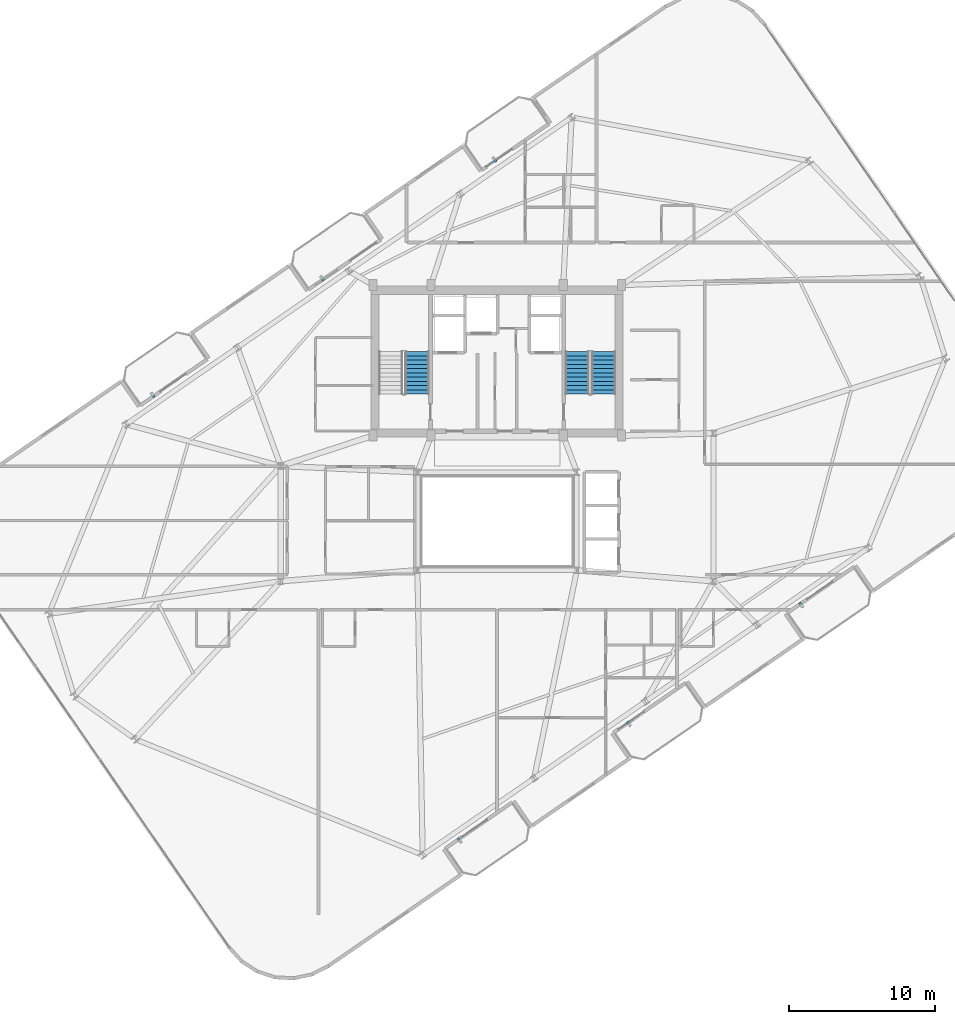
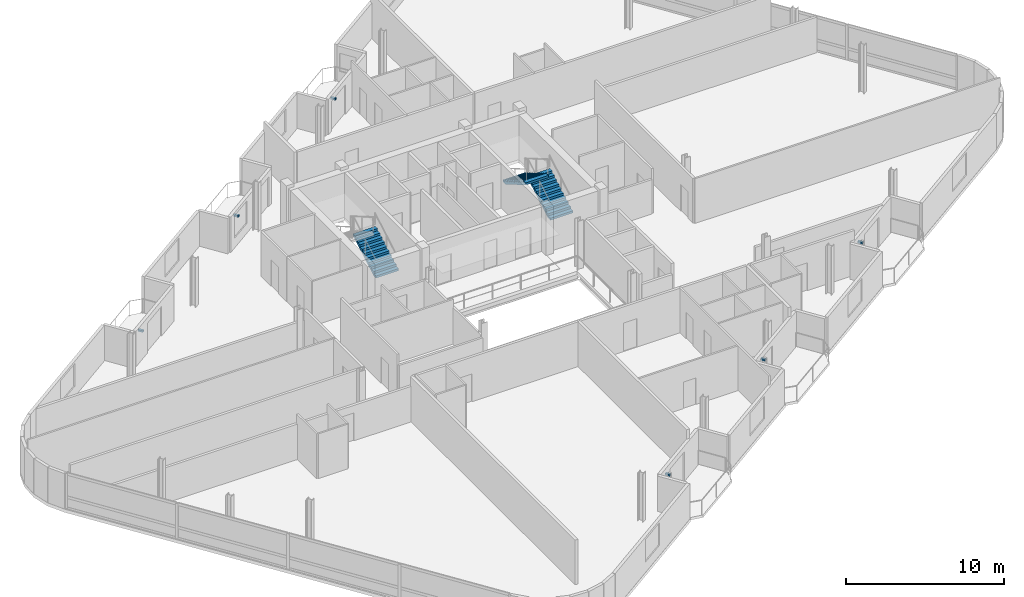
# One storey, part 18 of 21: 6 discrete accessories, 3 stair flights, 2 elements without a shape of their own.
"""IFC4 building model written with IfcOpenShell, lengths in metres."""

from ifc_helpers import new_model, si_unit, direction, frame, origin, origin_2d, place, context, subcontext, project, spatial, polyline, rectangle, outline, extrude, source, transform, mapped, material, type_object, element, aggregate, save


model = new_model("IFC4")

# Units and contexts
model_context = context("Model", 3, precision=1e-05, world=origin(), true_north=direction((0.0, 1.0)))
body_context = subcontext(model_context, "Body", "Model", "MODEL_VIEW")
ifc_project = project(units=[si_unit("LENGTHUNIT", "METRE"), si_unit("AREAUNIT", "SQUARE_METRE"), si_unit("VOLUMEUNIT", "CUBIC_METRE"), si_unit("PLANEANGLEUNIT", "RADIAN"), si_unit("MASSUNIT", "GRAM", prefix="KILO")], contexts=[model_context])

# Site, building, storey
site_placement = place(None, origin())
site = spatial("IfcSite", under=ifc_project, at=site_placement, CompositionType="ELEMENT")
building_placement = place(site_placement, origin())
building = spatial("IfcBuilding", under=site, at=building_placement, Name="Varnelok Gate Tower", CompositionType="ELEMENT")
storey_placement = place(building_placement, frame((0.0, 0.0, 269.300048828125)))
storey = spatial("IfcBuildingStorey", under=building, at=storey_placement, Name="L69", CompositionType="ELEMENT", Elevation=269.300048828125)

# Stair, stair flight
ifc_material_1 = material(Name="Concrete C50/60", Category="concrete")
stair_type = type_object("IfcStairType", Name="STR-CORE-1650", PredefinedType="HALF_TURN_STAIR", material=ifc_material_1)
stair_1_placement = place(storey_placement, origin())
stair_1 = element("IfcStair", 1, at=stair_1_placement, inside=storey, type_object=stair_type, Name="L69 Exit Stair ST-1", PredefinedType="HALF_TURN_STAIR")
stair_flight_type = type_object("IfcStairFlightType", Name="SFL-CORE-1650", PredefinedType="STRAIGHT", material=ifc_material_1)
stair_flight_1_placement = place(storey_placement, frame((33.72509765625, 31.60009765625, 0.0), z_axis=(0.0, 0.0, 1.0), x_axis=(0.0, 1.0, 0.0)))
stair_flight_1 = element("IfcStairFlight", 2, at=stair_flight_1_placement, type_object=stair_flight_type, Name="ST-1 flight 1", NumberOfRisers=11, NumberOfTreads=10, PredefinedType="STRAIGHT", RiserHeight=0.168181818, TreadLength=0.29, context=body_context, shape_type="SweptSolid", body=[
    extrude(outline(polyline([(0.0, 0.0), (0.0, 0.168212890625), (0.2900390625, 0.168212890625), (0.2900390625, 0.33642578125), (0.580078125, 0.33642578125), (0.580078125, 0.504638671875), (0.8701171875, 0.504638671875), (0.8701171875, 0.672607421875), (1.159912109375, 0.672607421875), (1.159912109375, 0.8408203125), (1.449951171875, 0.8408203125), (1.449951171875, 1.009033203125), (1.739990234375, 1.009033203125), (1.739990234375, 1.17724609375), (2.030029296875, 1.17724609375), (2.030029296875, 1.345458984375), (2.320068359375, 1.345458984375), (2.320068359375, 1.513671875), (2.610107421875, 1.513671875), (2.610107421875, 1.681884765625), (2.89990234375, 1.681884765625), (2.89990234375, 1.85009765625), (2.89990234375, 1.508544921875), (0.298828125, 0.0), (0.0, 0.0)])), frame((0.0, 0.824951171875, 0.0), z_axis=(0.0, -1.0, 0.0), x_axis=(1.0, 0.0, 0.0)), (0.0, 0.0, 1.0), 1.64990234375),
])
aggregate(stair_1, [stair_flight_1])

# Stair, stair flights
stair_2_placement = place(storey_placement, origin())
stair_2 = element("IfcStair", 3, at=stair_2_placement, inside=storey, type_object=stair_type, Name="L69 Exit Stair ST-2", PredefinedType="HALF_TURN_STAIR")
stair_flight_2_placement = place(storey_placement, frame((46.47509765625, 31.60009765625, 0.0), z_axis=(0.0, 0.0, 1.0), x_axis=(0.0, 1.0, 0.0)))
stair_flight_2 = element("IfcStairFlight", 4, at=stair_flight_2_placement, type_object=stair_flight_type, Name="ST-2 flight 1", NumberOfRisers=11, NumberOfTreads=10, PredefinedType="STRAIGHT", RiserHeight=0.168181818, TreadLength=0.29, context=body_context, shape_type="SweptSolid", body=[
    extrude(outline(polyline([(0.0, 0.0), (0.0, 0.168212890625), (0.2900390625, 0.168212890625), (0.2900390625, 0.33642578125), (0.580078125, 0.33642578125), (0.580078125, 0.504638671875), (0.8701171875, 0.504638671875), (0.8701171875, 0.672607421875), (1.159912109375, 0.672607421875), (1.159912109375, 0.8408203125), (1.449951171875, 0.8408203125), (1.449951171875, 1.009033203125), (1.739990234375, 1.009033203125), (1.739990234375, 1.17724609375), (2.030029296875, 1.17724609375), (2.030029296875, 1.345458984375), (2.320068359375, 1.345458984375), (2.320068359375, 1.513671875), (2.610107421875, 1.513671875), (2.610107421875, 1.681884765625), (2.89990234375, 1.681884765625), (2.89990234375, 1.85009765625), (2.89990234375, 1.508544921875), (0.298828125, 0.0), (0.0, 0.0)])), frame((0.0, 0.824951171875, 0.0), z_axis=(0.0, -1.0, 0.0), x_axis=(1.0, 0.0, 0.0)), (0.0, 0.0, 1.0), 1.64990234375),
])
stair_flight_3_placement = place(storey_placement, frame((44.675048828125, 34.5, 1.849853515625), z_axis=(0.0, 0.0, 1.0), x_axis=(0.0, -1.0, 0.0)))
stair_flight_3 = element("IfcStairFlight", 5, at=stair_flight_3_placement, type_object=stair_flight_type, Name="ST-2 flight 2", NumberOfRisers=11, NumberOfTreads=10, PredefinedType="STRAIGHT", RiserHeight=0.168181818, TreadLength=0.29, context=body_context, shape_type="SweptSolid", body=[
    extrude(outline(polyline([(0.0, 0.0), (0.0, 0.168212890625), (0.2900390625, 0.168212890625), (0.2900390625, 0.33642578125), (0.580078125, 0.33642578125), (0.580078125, 0.504638671875), (0.8701171875, 0.504638671875), (0.8701171875, 0.672607421875), (1.159912109375, 0.672607421875), (1.159912109375, 0.8408203125), (1.449951171875, 0.8408203125), (1.449951171875, 1.009033203125), (1.739990234375, 1.009033203125), (1.739990234375, 1.17724609375), (2.030029296875, 1.17724609375), (2.030029296875, 1.345458984375), (2.320068359375, 1.345458984375), (2.320068359375, 1.513671875), (2.610107421875, 1.513671875), (2.610107421875, 1.681884765625), (2.89990234375, 1.681884765625), (2.89990234375, 1.85009765625), (2.89990234375, 1.508544921875), (0.298828125, 0.0), (0.0, 0.0)])), frame((0.0, 0.824951171875, 0.0), z_axis=(0.0, -1.0, 0.0), x_axis=(1.0, 0.0, 0.0)), (0.0, 0.0, 1.0), 1.64990234375),
])
aggregate(stair_2, [stair_flight_2, stair_flight_3])

# Discrete accessories
ifc_material_2 = material(Name="Structural Steel ASTM A500 Grade C", Category="steel")
discrete_accessory_type = type_object("IfcDiscreteAccessoryType", Name="ACC-BAGUETTE-BRK", PredefinedType="BRACKET", material=ifc_material_2)
shared_shape = source(origin(), body_context, "Body", "SweptSolid", [
    extrude(rectangle(XDim=0.159912109375, YDim=0.340087890625, at=origin_2d()), origin(), (0.0, 0.0, 1.0), 0.139892578125),
])
for number, where, z_axis, x_axis, name in (
    (6, (36.62158203125, 1.09619140625, 1.97998046875), (0.0, 0.0, 1.0), (0.823532597628, 0.567268949127, 0.0), "L69 Terracotta Baguette Bracket 1.1"),
    (7, (48.195068359375, 9.068359375, 1.97998046875), (0.0, 0.0, 1.0), (0.823532597628, 0.567268949127, 0.0), "L69 Terracotta Baguette Bracket 2.1"),
    (8, (59.982666015625, 17.187744140625, 1.97998046875), (0.0, 0.0, 1.0), (0.823532597628, 0.567268949127, 0.0), "L69 Terracotta Baguette Bracket 3.1"),
    (9, (15.66650390625, 31.517333984375, 1.97998046875), (0.0, 0.0, 1.0), (0.823532597628, 0.567268949127, 0.0), "L69 Terracotta Baguette Bracket 4.1"),
    (10, (27.240234375, 39.489501953125, 1.97998046875), (0.0, 0.0, 1.0), (0.823532597628, 0.567268949127, 0.0), "L69 Terracotta Baguette Bracket 5.1"),
    (11, (39.027587890625, 47.609130859375, 1.97998046875), (0.0, 0.0, 1.0), (0.823532597628, 0.567268949127, 0.0), "L69 Terracotta Baguette Bracket 6.1"),
):
    element("IfcDiscreteAccessory", number, at=place(storey_placement, frame(where, z_axis=z_axis, x_axis=x_axis)), inside=storey, type_object=discrete_accessory_type, Name=name, PredefinedType="BRACKET", context=body_context, shape_type="MappedRepresentation", body=[
        mapped(shared_shape, transform((0.0, 0.0, 0.0), scale=1.0)),
    ])

save(model, "model.ifc")
